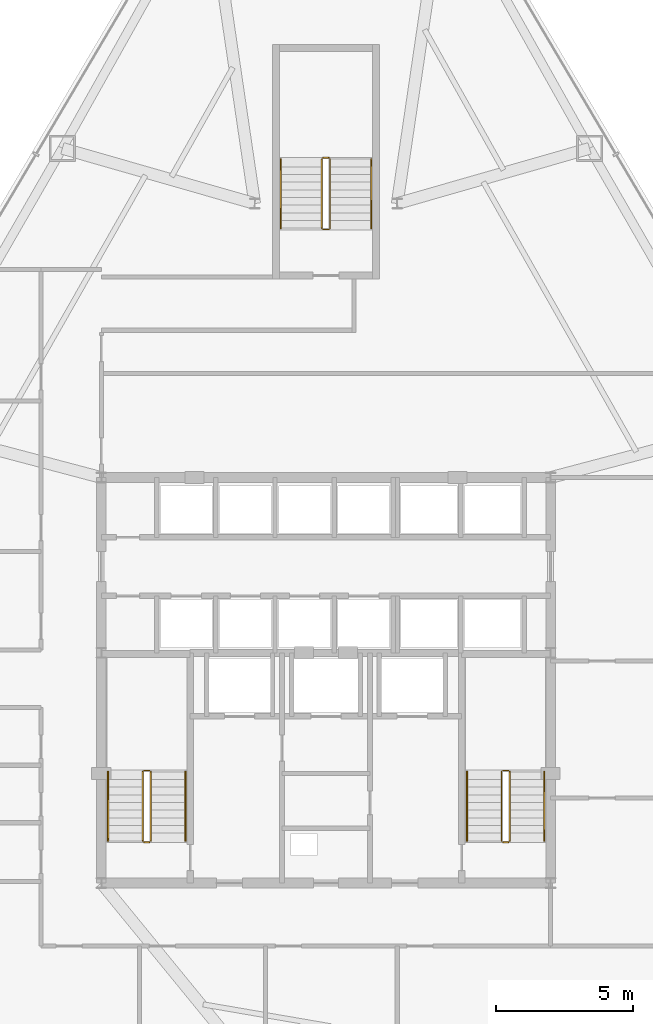
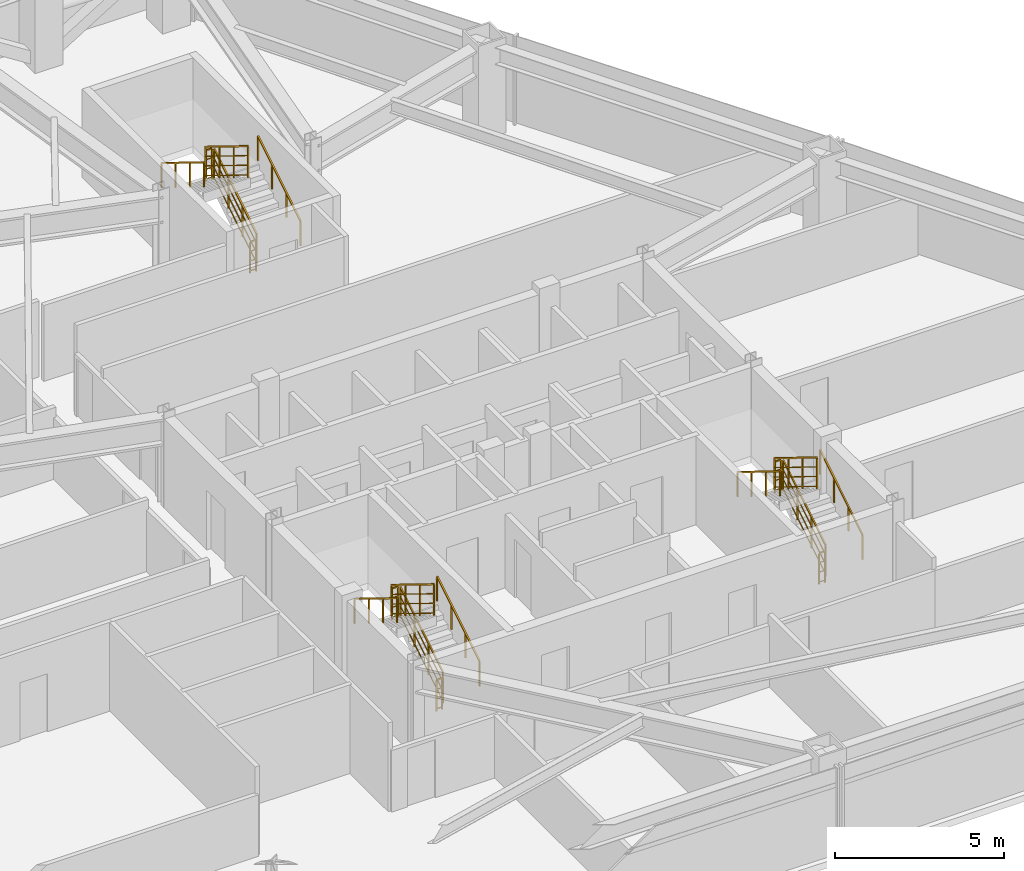
# One storey, part 13 of 13: 18 railings.
"""IFC4 building model written with IfcOpenShell, lengths in metres."""

from ifc_helpers import new_model, si_unit, direction, frame, origin, origin_2d, place, context, subcontext, project, spatial, rectangle, extrude, material, type_object, element, save


model = new_model("IFC4")

# Units and contexts
model_context = context("Model", 3, precision=1e-05, world=origin(), true_north=direction((0.0, 1.0)))
body_context = subcontext(model_context, "Body", "Model", "MODEL_VIEW")
ifc_project = project(units=[si_unit("LENGTHUNIT", "METRE"), si_unit("AREAUNIT", "SQUARE_METRE"), si_unit("VOLUMEUNIT", "CUBIC_METRE"), si_unit("PLANEANGLEUNIT", "RADIAN"), si_unit("MASSUNIT", "GRAM", prefix="KILO")], contexts=[model_context])

# Site, building, storey
site_placement = place(None, origin())
site = spatial("IfcSite", under=ifc_project, at=site_placement, CompositionType="ELEMENT")
building_placement = place(site_placement, origin())
building = spatial("IfcBuilding", under=site, at=building_placement, Name="Varakhsha Concourse Tower", CompositionType="ELEMENT")
storey_placement = place(building_placement, frame((0.0, 0.0, 116.0)))
storey = spatial("IfcBuildingStorey", under=building, at=storey_placement, Name="L33", CompositionType="ELEMENT", Elevation=116.0)

# Railings
ifc_material = material(Name="Brushed Austenitic Stainless Steel AISI 316", Category="steel")
railing_type_1 = type_object("IfcRailingType", Name="RL-STAIR-GUARD-1100", PredefinedType="GUARDRAIL", material=ifc_material)
railing_1_placement = place(storey_placement, frame((33.610107421875, 17.93994140625, 0.172607421875)))
element("IfcRailing", 1, at=railing_1_placement, inside=storey, type_object=railing_type_1, Name="L33 ST1 stair guard 1", PredefinedType="GUARDRAIL", context=body_context, shape_type="SweptSolid", body=[
    extrude(rectangle(XDim=0.048095703125, YDim=0.048095703125, at=origin_2d()), frame((0.0, 0.0, 1.1259765625), z_axis=(0.0, 0.851400495292, 0.524516154772), x_axis=(-1.0, 0.0, 0.0)), (0.0, 0.0, 1.0), 2.9599609375),
    extrude(rectangle(XDim=0.028076171875, YDim=0.028076171875, at=origin_2d()), frame((0.0, 0.0, 0.080078125), z_axis=(0.0, 0.851400495292, 0.524516154772), x_axis=(-1.0, 0.0, 0.0)), (0.0, 0.0, 1.0), 2.9599609375),
    extrude(rectangle(XDim=0.028076171875, YDim=0.028076171875, at=origin_2d()), frame((0.0, 0.0, 0.43701171875), z_axis=(0.0, 0.851400495292, 0.524516154772), x_axis=(-1.0, 0.0, 0.0)), (0.0, 0.0, 1.0), 2.9599609375),
    extrude(rectangle(XDim=0.028076171875, YDim=0.028076171875, at=origin_2d()), frame((0.0, 0.0, 0.781982421875), z_axis=(0.0, 0.851400495292, 0.524516154772), x_axis=(-1.0, 0.0, 0.0)), (0.0, 0.0, 1.0), 2.9599609375),
    extrude(rectangle(XDim=0.0419921875, YDim=0.0419921875, at=origin_2d()), origin(), (0.0, 0.0, 1.0), 1.101806640625),
    extrude(rectangle(XDim=0.0419921875, YDim=0.0419921875, at=origin_2d()), frame((0.0, 0.840087890625, 0.517578125)), (0.0, 0.0, 1.0), 1.101806640625),
    extrude(rectangle(XDim=0.0419921875, YDim=0.0419921875, at=origin_2d()), frame((0.0, 1.679931640625, 1.034912109375)), (0.0, 0.0, 1.0), 1.101806640625),
    extrude(rectangle(XDim=0.0419921875, YDim=0.0419921875, at=origin_2d()), frame((0.0, 2.52001953125, 1.552490234375)), (0.0, 0.0, 1.0), 1.101806640625),
])
railing_2_placement = place(storey_placement, frame((33.56005859375, 20.510009765625, 1.72509765625)))
element("IfcRailing", 2, at=railing_2_placement, inside=storey, type_object=railing_type_1, Name="L33 ST1 stair guard 2", PredefinedType="GUARDRAIL", context=body_context, shape_type="SweptSolid", body=[
    extrude(rectangle(XDim=0.048095703125, YDim=0.048095703125, at=origin_2d()), frame((0.0, 0.0, 1.1259765625), z_axis=(-1.0, 0.0, 0.0), x_axis=(0.0, -1.0, 0.0)), (0.0, 0.0, 1.0), 0.199951171875),
    extrude(rectangle(XDim=0.028076171875, YDim=0.028076171875, at=origin_2d()), frame((0.0, 0.0, 0.080078125), z_axis=(-1.0, 0.0, 0.0), x_axis=(0.0, -1.0, 0.0)), (0.0, 0.0, 1.0), 0.199951171875),
    extrude(rectangle(XDim=0.028076171875, YDim=0.028076171875, at=origin_2d()), frame((0.0, 0.0, 0.43701171875), z_axis=(-1.0, 0.0, 0.0), x_axis=(0.0, -1.0, 0.0)), (0.0, 0.0, 1.0), 0.199951171875),
    extrude(rectangle(XDim=0.028076171875, YDim=0.028076171875, at=origin_2d()), frame((0.0, 0.0, 0.781982421875), z_axis=(-1.0, 0.0, 0.0), x_axis=(0.0, -1.0, 0.0)), (0.0, 0.0, 1.0), 0.199951171875),
    extrude(rectangle(XDim=0.0419921875, YDim=0.0419921875, at=origin_2d()), origin(), (0.0, 0.0, 1.0), 1.101806640625),
    extrude(rectangle(XDim=0.0419921875, YDim=0.0419921875, at=origin_2d()), frame((-0.199951171875, 0.0, 0.0)), (0.0, 0.0, 1.0), 1.101806640625),
])
railing_3_placement = place(storey_placement, frame((33.31005859375, 20.4599609375, 1.8974609375)))
element("IfcRailing", 3, at=railing_3_placement, inside=storey, type_object=railing_type_1, Name="L33 ST1 stair guard 3", PredefinedType="GUARDRAIL", context=body_context, shape_type="SweptSolid", body=[
    extrude(rectangle(XDim=0.048095703125, YDim=0.048095703125, at=origin_2d()), frame((0.0, 0.0, 1.1259765625), z_axis=(0.0, -0.851400495292, 0.524516154772), x_axis=(1.0, 0.0, 0.0)), (0.0, 0.0, 1.0), 2.9599609375),
    extrude(rectangle(XDim=0.028076171875, YDim=0.028076171875, at=origin_2d()), frame((0.0, 0.0, 0.080078125), z_axis=(0.0, -0.851400495292, 0.524516154772), x_axis=(1.0, 0.0, 0.0)), (0.0, 0.0, 1.0), 2.9599609375),
    extrude(rectangle(XDim=0.028076171875, YDim=0.028076171875, at=origin_2d()), frame((0.0, 0.0, 0.43701171875), z_axis=(0.0, -0.851400495292, 0.524516154772), x_axis=(1.0, 0.0, 0.0)), (0.0, 0.0, 1.0), 2.9599609375),
    extrude(rectangle(XDim=0.028076171875, YDim=0.028076171875, at=origin_2d()), frame((0.0, 0.0, 0.781982421875), z_axis=(0.0, -0.851400495292, 0.524516154772), x_axis=(1.0, 0.0, 0.0)), (0.0, 0.0, 1.0), 2.9599609375),
    extrude(rectangle(XDim=0.0419921875, YDim=0.0419921875, at=origin_2d()), origin(), (0.0, 0.0, 1.0), 1.101806640625),
    extrude(rectangle(XDim=0.0419921875, YDim=0.0419921875, at=origin_2d()), frame((0.0, -0.840087890625, 0.517578125)), (0.0, 0.0, 1.0), 1.101806640625),
    extrude(rectangle(XDim=0.0419921875, YDim=0.0419921875, at=origin_2d()), frame((0.0, -1.679931640625, 1.034912109375)), (0.0, 0.0, 1.0), 1.101806640625),
    extrude(rectangle(XDim=0.0419921875, YDim=0.0419921875, at=origin_2d()), frame((0.0, -2.52001953125, 1.552490234375)), (0.0, 0.0, 1.0), 1.101806640625),
])
railing_4_placement = place(storey_placement, frame((33.56005859375, 17.889892578125, 0.0)))
element("IfcRailing", 4, at=railing_4_placement, inside=storey, type_object=railing_type_1, Name="L33 ST1 stair guard 4", PredefinedType="GUARDRAIL", context=body_context, shape_type="SweptSolid", body=[
    extrude(rectangle(XDim=0.048095703125, YDim=0.048095703125, at=origin_2d()), frame((0.0, 0.0, 1.1259765625), z_axis=(-1.0, 0.0, 0.0), x_axis=(0.0, -1.0, 0.0)), (0.0, 0.0, 1.0), 0.199951171875),
    extrude(rectangle(XDim=0.028076171875, YDim=0.028076171875, at=origin_2d()), frame((0.0, 0.0, 0.080078125), z_axis=(-1.0, 0.0, 0.0), x_axis=(0.0, -1.0, 0.0)), (0.0, 0.0, 1.0), 0.199951171875),
    extrude(rectangle(XDim=0.028076171875, YDim=0.028076171875, at=origin_2d()), frame((0.0, 0.0, 0.43701171875), z_axis=(-1.0, 0.0, 0.0), x_axis=(0.0, -1.0, 0.0)), (0.0, 0.0, 1.0), 0.199951171875),
    extrude(rectangle(XDim=0.028076171875, YDim=0.028076171875, at=origin_2d()), frame((0.0, 0.0, 0.781982421875), z_axis=(-1.0, 0.0, 0.0), x_axis=(0.0, -1.0, 0.0)), (0.0, 0.0, 1.0), 0.199951171875),
    extrude(rectangle(XDim=0.0419921875, YDim=0.0419921875, at=origin_2d()), origin(), (0.0, 0.0, 1.0), 1.101806640625),
    extrude(rectangle(XDim=0.0419921875, YDim=0.0419921875, at=origin_2d()), frame((-0.199951171875, 0.0, 0.0)), (0.0, 0.0, 1.0), 1.101806640625),
])
railing_5_placement = place(storey_placement, frame((46.7099609375, 17.93994140625, 0.172607421875)))
element("IfcRailing", 5, at=railing_5_placement, inside=storey, type_object=railing_type_1, Name="L33 ST2 stair guard 1", PredefinedType="GUARDRAIL", context=body_context, shape_type="SweptSolid", body=[
    extrude(rectangle(XDim=0.048095703125, YDim=0.048095703125, at=origin_2d()), frame((0.0, 0.0, 1.1259765625), z_axis=(0.0, 0.851400495292, 0.524516154772), x_axis=(-1.0, 0.0, 0.0)), (0.0, 0.0, 1.0), 2.9599609375),
    extrude(rectangle(XDim=0.028076171875, YDim=0.028076171875, at=origin_2d()), frame((0.0, 0.0, 0.080078125), z_axis=(0.0, 0.851400495292, 0.524516154772), x_axis=(-1.0, 0.0, 0.0)), (0.0, 0.0, 1.0), 2.9599609375),
    extrude(rectangle(XDim=0.028076171875, YDim=0.028076171875, at=origin_2d()), frame((0.0, 0.0, 0.43701171875), z_axis=(0.0, 0.851400495292, 0.524516154772), x_axis=(-1.0, 0.0, 0.0)), (0.0, 0.0, 1.0), 2.9599609375),
    extrude(rectangle(XDim=0.028076171875, YDim=0.028076171875, at=origin_2d()), frame((0.0, 0.0, 0.781982421875), z_axis=(0.0, 0.851400495292, 0.524516154772), x_axis=(-1.0, 0.0, 0.0)), (0.0, 0.0, 1.0), 2.9599609375),
    extrude(rectangle(XDim=0.0419921875, YDim=0.0419921875, at=origin_2d()), origin(), (0.0, 0.0, 1.0), 1.101806640625),
    extrude(rectangle(XDim=0.0419921875, YDim=0.0419921875, at=origin_2d()), frame((0.0, 0.840087890625, 0.517578125)), (0.0, 0.0, 1.0), 1.101806640625),
    extrude(rectangle(XDim=0.0419921875, YDim=0.0419921875, at=origin_2d()), frame((0.0, 1.679931640625, 1.034912109375)), (0.0, 0.0, 1.0), 1.101806640625),
    extrude(rectangle(XDim=0.0419921875, YDim=0.0419921875, at=origin_2d()), frame((0.0, 2.52001953125, 1.552490234375)), (0.0, 0.0, 1.0), 1.101806640625),
])
railing_6_placement = place(storey_placement, frame((46.659912109375, 20.510009765625, 1.72509765625)))
element("IfcRailing", 6, at=railing_6_placement, inside=storey, type_object=railing_type_1, Name="L33 ST2 stair guard 2", PredefinedType="GUARDRAIL", context=body_context, shape_type="SweptSolid", body=[
    extrude(rectangle(XDim=0.048095703125, YDim=0.048095703125, at=origin_2d()), frame((0.0, 0.0, 1.1259765625), z_axis=(-1.0, 0.0, 0.0), x_axis=(0.0, -1.0, 0.0)), (0.0, 0.0, 1.0), 0.199951171875),
    extrude(rectangle(XDim=0.028076171875, YDim=0.028076171875, at=origin_2d()), frame((0.0, 0.0, 0.080078125), z_axis=(-1.0, 0.0, 0.0), x_axis=(0.0, -1.0, 0.0)), (0.0, 0.0, 1.0), 0.199951171875),
    extrude(rectangle(XDim=0.028076171875, YDim=0.028076171875, at=origin_2d()), frame((0.0, 0.0, 0.43701171875), z_axis=(-1.0, 0.0, 0.0), x_axis=(0.0, -1.0, 0.0)), (0.0, 0.0, 1.0), 0.199951171875),
    extrude(rectangle(XDim=0.028076171875, YDim=0.028076171875, at=origin_2d()), frame((0.0, 0.0, 0.781982421875), z_axis=(-1.0, 0.0, 0.0), x_axis=(0.0, -1.0, 0.0)), (0.0, 0.0, 1.0), 0.199951171875),
    extrude(rectangle(XDim=0.0419921875, YDim=0.0419921875, at=origin_2d()), origin(), (0.0, 0.0, 1.0), 1.101806640625),
    extrude(rectangle(XDim=0.0419921875, YDim=0.0419921875, at=origin_2d()), frame((-0.199951171875, 0.0, 0.0)), (0.0, 0.0, 1.0), 1.101806640625),
])
railing_7_placement = place(storey_placement, frame((46.409912109375, 20.4599609375, 1.8974609375)))
element("IfcRailing", 7, at=railing_7_placement, inside=storey, type_object=railing_type_1, Name="L33 ST2 stair guard 3", PredefinedType="GUARDRAIL", context=body_context, shape_type="SweptSolid", body=[
    extrude(rectangle(XDim=0.048095703125, YDim=0.048095703125, at=origin_2d()), frame((0.0, 0.0, 1.1259765625), z_axis=(0.0, -0.851400495292, 0.524516154772), x_axis=(1.0, 0.0, 0.0)), (0.0, 0.0, 1.0), 2.9599609375),
    extrude(rectangle(XDim=0.028076171875, YDim=0.028076171875, at=origin_2d()), frame((0.0, 0.0, 0.080078125), z_axis=(0.0, -0.851400495292, 0.524516154772), x_axis=(1.0, 0.0, 0.0)), (0.0, 0.0, 1.0), 2.9599609375),
    extrude(rectangle(XDim=0.028076171875, YDim=0.028076171875, at=origin_2d()), frame((0.0, 0.0, 0.43701171875), z_axis=(0.0, -0.851400495292, 0.524516154772), x_axis=(1.0, 0.0, 0.0)), (0.0, 0.0, 1.0), 2.9599609375),
    extrude(rectangle(XDim=0.028076171875, YDim=0.028076171875, at=origin_2d()), frame((0.0, 0.0, 0.781982421875), z_axis=(0.0, -0.851400495292, 0.524516154772), x_axis=(1.0, 0.0, 0.0)), (0.0, 0.0, 1.0), 2.9599609375),
    extrude(rectangle(XDim=0.0419921875, YDim=0.0419921875, at=origin_2d()), origin(), (0.0, 0.0, 1.0), 1.101806640625),
    extrude(rectangle(XDim=0.0419921875, YDim=0.0419921875, at=origin_2d()), frame((0.0, -0.840087890625, 0.517578125)), (0.0, 0.0, 1.0), 1.101806640625),
    extrude(rectangle(XDim=0.0419921875, YDim=0.0419921875, at=origin_2d()), frame((0.0, -1.679931640625, 1.034912109375)), (0.0, 0.0, 1.0), 1.101806640625),
    extrude(rectangle(XDim=0.0419921875, YDim=0.0419921875, at=origin_2d()), frame((0.0, -2.52001953125, 1.552490234375)), (0.0, 0.0, 1.0), 1.101806640625),
])
railing_8_placement = place(storey_placement, frame((46.659912109375, 17.889892578125, 0.0)))
element("IfcRailing", 8, at=railing_8_placement, inside=storey, type_object=railing_type_1, Name="L33 ST2 stair guard 4", PredefinedType="GUARDRAIL", context=body_context, shape_type="SweptSolid", body=[
    extrude(rectangle(XDim=0.048095703125, YDim=0.048095703125, at=origin_2d()), frame((0.0, 0.0, 1.1259765625), z_axis=(-1.0, 0.0, 0.0), x_axis=(0.0, -1.0, 0.0)), (0.0, 0.0, 1.0), 0.199951171875),
    extrude(rectangle(XDim=0.028076171875, YDim=0.028076171875, at=origin_2d()), frame((0.0, 0.0, 0.080078125), z_axis=(-1.0, 0.0, 0.0), x_axis=(0.0, -1.0, 0.0)), (0.0, 0.0, 1.0), 0.199951171875),
    extrude(rectangle(XDim=0.028076171875, YDim=0.028076171875, at=origin_2d()), frame((0.0, 0.0, 0.43701171875), z_axis=(-1.0, 0.0, 0.0), x_axis=(0.0, -1.0, 0.0)), (0.0, 0.0, 1.0), 0.199951171875),
    extrude(rectangle(XDim=0.028076171875, YDim=0.028076171875, at=origin_2d()), frame((0.0, 0.0, 0.781982421875), z_axis=(-1.0, 0.0, 0.0), x_axis=(0.0, -1.0, 0.0)), (0.0, 0.0, 1.0), 0.199951171875),
    extrude(rectangle(XDim=0.0419921875, YDim=0.0419921875, at=origin_2d()), origin(), (0.0, 0.0, 1.0), 1.101806640625),
    extrude(rectangle(XDim=0.0419921875, YDim=0.0419921875, at=origin_2d()), frame((-0.199951171875, 0.0, 0.0)), (0.0, 0.0, 1.0), 1.101806640625),
])
railing_9_placement = place(storey_placement, frame((40.14990234375, 40.300048828125, 0.172607421875)))
element("IfcRailing", 9, at=railing_9_placement, inside=storey, type_object=railing_type_1, Name="L33 ST5 stair guard 1", PredefinedType="GUARDRAIL", context=body_context, shape_type="SweptSolid", body=[
    extrude(rectangle(XDim=0.048095703125, YDim=0.048095703125, at=origin_2d()), frame((0.0, 0.0, 1.1259765625), z_axis=(0.0, 0.851400495292, 0.524516154772), x_axis=(-1.0, 0.0, 0.0)), (0.0, 0.0, 1.0), 2.9599609375),
    extrude(rectangle(XDim=0.028076171875, YDim=0.028076171875, at=origin_2d()), frame((0.0, 0.0, 0.080078125), z_axis=(0.0, 0.851400495292, 0.524516154772), x_axis=(-1.0, 0.0, 0.0)), (0.0, 0.0, 1.0), 2.9599609375),
    extrude(rectangle(XDim=0.028076171875, YDim=0.028076171875, at=origin_2d()), frame((0.0, 0.0, 0.43701171875), z_axis=(0.0, 0.851400495292, 0.524516154772), x_axis=(-1.0, 0.0, 0.0)), (0.0, 0.0, 1.0), 2.9599609375),
    extrude(rectangle(XDim=0.028076171875, YDim=0.028076171875, at=origin_2d()), frame((0.0, 0.0, 0.781982421875), z_axis=(0.0, 0.851400495292, 0.524516154772), x_axis=(-1.0, 0.0, 0.0)), (0.0, 0.0, 1.0), 2.9599609375),
    extrude(rectangle(XDim=0.0419921875, YDim=0.0419921875, at=origin_2d()), origin(), (0.0, 0.0, 1.0), 1.101806640625),
    extrude(rectangle(XDim=0.0419921875, YDim=0.0419921875, at=origin_2d()), frame((0.0, 0.840087890625, 0.517578125)), (0.0, 0.0, 1.0), 1.101806640625),
    extrude(rectangle(XDim=0.0419921875, YDim=0.0419921875, at=origin_2d()), frame((0.0, 1.679931640625, 1.034912109375)), (0.0, 0.0, 1.0), 1.101806640625),
    extrude(rectangle(XDim=0.0419921875, YDim=0.0419921875, at=origin_2d()), frame((0.0, 2.52001953125, 1.552490234375)), (0.0, 0.0, 1.0), 1.101806640625),
])
railing_10_placement = place(storey_placement, frame((40.10009765625, 42.8701171875, 1.72509765625)))
element("IfcRailing", 10, at=railing_10_placement, inside=storey, type_object=railing_type_1, Name="L33 ST5 stair guard 2", PredefinedType="GUARDRAIL", context=body_context, shape_type="SweptSolid", body=[
    extrude(rectangle(XDim=0.048095703125, YDim=0.048095703125, at=origin_2d()), frame((0.0, 0.0, 1.1259765625), z_axis=(-1.0, 0.0, 0.0), x_axis=(0.0, -1.0, 0.0)), (0.0, 0.0, 1.0), 0.2001953125),
    extrude(rectangle(XDim=0.028076171875, YDim=0.028076171875, at=origin_2d()), frame((0.0, 0.0, 0.080078125), z_axis=(-1.0, 0.0, 0.0), x_axis=(0.0, -1.0, 0.0)), (0.0, 0.0, 1.0), 0.2001953125),
    extrude(rectangle(XDim=0.028076171875, YDim=0.028076171875, at=origin_2d()), frame((0.0, 0.0, 0.43701171875), z_axis=(-1.0, 0.0, 0.0), x_axis=(0.0, -1.0, 0.0)), (0.0, 0.0, 1.0), 0.2001953125),
    extrude(rectangle(XDim=0.028076171875, YDim=0.028076171875, at=origin_2d()), frame((0.0, 0.0, 0.781982421875), z_axis=(-1.0, 0.0, 0.0), x_axis=(0.0, -1.0, 0.0)), (0.0, 0.0, 1.0), 0.2001953125),
    extrude(rectangle(XDim=0.0419921875, YDim=0.0419921875, at=origin_2d()), origin(), (0.0, 0.0, 1.0), 1.101806640625),
    extrude(rectangle(XDim=0.0419921875, YDim=0.0419921875, at=origin_2d()), frame((-0.2001953125, 0.0, 0.0)), (0.0, 0.0, 1.0), 1.101806640625),
])
railing_11_placement = place(storey_placement, frame((39.85009765625, 42.820068359375, 1.8974609375)))
element("IfcRailing", 11, at=railing_11_placement, inside=storey, type_object=railing_type_1, Name="L33 ST5 stair guard 3", PredefinedType="GUARDRAIL", context=body_context, shape_type="SweptSolid", body=[
    extrude(rectangle(XDim=0.048095703125, YDim=0.048095703125, at=origin_2d()), frame((0.0, 0.0, 1.1259765625), z_axis=(0.0, -0.851400495292, 0.524516154772), x_axis=(1.0, 0.0, 0.0)), (0.0, 0.0, 1.0), 2.9599609375),
    extrude(rectangle(XDim=0.028076171875, YDim=0.028076171875, at=origin_2d()), frame((0.0, 0.0, 0.080078125), z_axis=(0.0, -0.851400495292, 0.524516154772), x_axis=(1.0, 0.0, 0.0)), (0.0, 0.0, 1.0), 2.9599609375),
    extrude(rectangle(XDim=0.028076171875, YDim=0.028076171875, at=origin_2d()), frame((0.0, 0.0, 0.43701171875), z_axis=(0.0, -0.851400495292, 0.524516154772), x_axis=(1.0, 0.0, 0.0)), (0.0, 0.0, 1.0), 2.9599609375),
    extrude(rectangle(XDim=0.028076171875, YDim=0.028076171875, at=origin_2d()), frame((0.0, 0.0, 0.781982421875), z_axis=(0.0, -0.851400495292, 0.524516154772), x_axis=(1.0, 0.0, 0.0)), (0.0, 0.0, 1.0), 2.9599609375),
    extrude(rectangle(XDim=0.0419921875, YDim=0.0419921875, at=origin_2d()), origin(), (0.0, 0.0, 1.0), 1.101806640625),
    extrude(rectangle(XDim=0.0419921875, YDim=0.0419921875, at=origin_2d()), frame((0.0, -0.840087890625, 0.517578125)), (0.0, 0.0, 1.0), 1.101806640625),
    extrude(rectangle(XDim=0.0419921875, YDim=0.0419921875, at=origin_2d()), frame((0.0, -1.679931640625, 1.034912109375)), (0.0, 0.0, 1.0), 1.101806640625),
    extrude(rectangle(XDim=0.0419921875, YDim=0.0419921875, at=origin_2d()), frame((0.0, -2.52001953125, 1.552490234375)), (0.0, 0.0, 1.0), 1.101806640625),
])
railing_12_placement = place(storey_placement, frame((40.10009765625, 40.25, 0.0)))
element("IfcRailing", 12, at=railing_12_placement, inside=storey, type_object=railing_type_1, Name="L33 ST5 stair guard 4", PredefinedType="GUARDRAIL", context=body_context, shape_type="SweptSolid", body=[
    extrude(rectangle(XDim=0.048095703125, YDim=0.048095703125, at=origin_2d()), frame((0.0, 0.0, 1.1259765625), z_axis=(-1.0, 0.0, 0.0), x_axis=(0.0, -1.0, 0.0)), (0.0, 0.0, 1.0), 0.2001953125),
    extrude(rectangle(XDim=0.028076171875, YDim=0.028076171875, at=origin_2d()), frame((0.0, 0.0, 0.080078125), z_axis=(-1.0, 0.0, 0.0), x_axis=(0.0, -1.0, 0.0)), (0.0, 0.0, 1.0), 0.2001953125),
    extrude(rectangle(XDim=0.028076171875, YDim=0.028076171875, at=origin_2d()), frame((0.0, 0.0, 0.43701171875), z_axis=(-1.0, 0.0, 0.0), x_axis=(0.0, -1.0, 0.0)), (0.0, 0.0, 1.0), 0.2001953125),
    extrude(rectangle(XDim=0.028076171875, YDim=0.028076171875, at=origin_2d()), frame((0.0, 0.0, 0.781982421875), z_axis=(-1.0, 0.0, 0.0), x_axis=(0.0, -1.0, 0.0)), (0.0, 0.0, 1.0), 0.2001953125),
    extrude(rectangle(XDim=0.0419921875, YDim=0.0419921875, at=origin_2d()), origin(), (0.0, 0.0, 1.0), 1.101806640625),
    extrude(rectangle(XDim=0.0419921875, YDim=0.0419921875, at=origin_2d()), frame((-0.2001953125, 0.0, 0.0)), (0.0, 0.0, 1.0), 1.101806640625),
])
railing_type_2 = type_object("IfcRailingType", Name="RL-STAIR-RAIL-915", PredefinedType="HANDRAIL", material=ifc_material)
railing_13_placement = place(storey_placement, frame((34.8701171875, 17.93994140625, 0.344970703125)))
element("IfcRailing", 13, at=railing_13_placement, inside=storey, type_object=railing_type_2, Name="L33 ST1 stair handrail 1", PredefinedType="HANDRAIL", context=body_context, shape_type="SweptSolid", body=[
    extrude(rectangle(XDim=0.048095703125, YDim=0.048095703125, at=origin_2d()), frame((0.0, 0.0, 0.89111328125), z_axis=(0.0, 0.851400495292, 0.524516154772), x_axis=(-1.0, 0.0, 0.0)), (0.0, 0.0, 1.0), 2.9599609375),
    extrude(rectangle(XDim=0.0419921875, YDim=0.0419921875, at=origin_2d()), origin(), (0.0, 0.0, 1.0), 0.866943359375),
    extrude(rectangle(XDim=0.0419921875, YDim=0.0419921875, at=origin_2d()), frame((0.0, 0.840087890625, 0.517578125)), (0.0, 0.0, 1.0), 0.866943359375),
    extrude(rectangle(XDim=0.0419921875, YDim=0.0419921875, at=origin_2d()), frame((0.0, 1.679931640625, 1.034912109375)), (0.0, 0.0, 1.0), 0.866943359375),
    extrude(rectangle(XDim=0.0419921875, YDim=0.0419921875, at=origin_2d()), frame((0.0, 2.52001953125, 1.552490234375)), (0.0, 0.0, 1.0), 0.866943359375),
])
railing_14_placement = place(storey_placement, frame((32.050048828125, 20.4599609375, 2.070068359375)))
element("IfcRailing", 14, at=railing_14_placement, inside=storey, type_object=railing_type_2, Name="L33 ST1 stair handrail 2", PredefinedType="HANDRAIL", context=body_context, shape_type="SweptSolid", body=[
    extrude(rectangle(XDim=0.048095703125, YDim=0.048095703125, at=origin_2d()), frame((0.0, 0.0, 0.89111328125), z_axis=(0.0, -0.851400495292, 0.524516154772), x_axis=(1.0, 0.0, 0.0)), (0.0, 0.0, 1.0), 2.9599609375),
    extrude(rectangle(XDim=0.0419921875, YDim=0.0419921875, at=origin_2d()), origin(), (0.0, 0.0, 1.0), 0.866943359375),
    extrude(rectangle(XDim=0.0419921875, YDim=0.0419921875, at=origin_2d()), frame((0.0, -0.840087890625, 0.517578125)), (0.0, 0.0, 1.0), 0.866943359375),
    extrude(rectangle(XDim=0.0419921875, YDim=0.0419921875, at=origin_2d()), frame((0.0, -1.679931640625, 1.034912109375)), (0.0, 0.0, 1.0), 0.866943359375),
    extrude(rectangle(XDim=0.0419921875, YDim=0.0419921875, at=origin_2d()), frame((0.0, -2.52001953125, 1.552490234375)), (0.0, 0.0, 1.0), 0.866943359375),
])
railing_15_placement = place(storey_placement, frame((47.969970703125, 17.93994140625, 0.344970703125)))
element("IfcRailing", 15, at=railing_15_placement, inside=storey, type_object=railing_type_2, Name="L33 ST2 stair handrail 1", PredefinedType="HANDRAIL", context=body_context, shape_type="SweptSolid", body=[
    extrude(rectangle(XDim=0.048095703125, YDim=0.048095703125, at=origin_2d()), frame((0.0, 0.0, 0.89111328125), z_axis=(0.0, 0.851400495292, 0.524516154772), x_axis=(-1.0, 0.0, 0.0)), (0.0, 0.0, 1.0), 2.9599609375),
    extrude(rectangle(XDim=0.0419921875, YDim=0.0419921875, at=origin_2d()), origin(), (0.0, 0.0, 1.0), 0.866943359375),
    extrude(rectangle(XDim=0.0419921875, YDim=0.0419921875, at=origin_2d()), frame((0.0, 0.840087890625, 0.517578125)), (0.0, 0.0, 1.0), 0.866943359375),
    extrude(rectangle(XDim=0.0419921875, YDim=0.0419921875, at=origin_2d()), frame((0.0, 1.679931640625, 1.034912109375)), (0.0, 0.0, 1.0), 0.866943359375),
    extrude(rectangle(XDim=0.0419921875, YDim=0.0419921875, at=origin_2d()), frame((0.0, 2.52001953125, 1.552490234375)), (0.0, 0.0, 1.0), 0.866943359375),
])
railing_16_placement = place(storey_placement, frame((45.14990234375, 20.4599609375, 2.070068359375)))
element("IfcRailing", 16, at=railing_16_placement, inside=storey, type_object=railing_type_2, Name="L33 ST2 stair handrail 2", PredefinedType="HANDRAIL", context=body_context, shape_type="SweptSolid", body=[
    extrude(rectangle(XDim=0.048095703125, YDim=0.048095703125, at=origin_2d()), frame((0.0, 0.0, 0.89111328125), z_axis=(0.0, -0.851400495292, 0.524516154772), x_axis=(1.0, 0.0, 0.0)), (0.0, 0.0, 1.0), 2.9599609375),
    extrude(rectangle(XDim=0.0419921875, YDim=0.0419921875, at=origin_2d()), origin(), (0.0, 0.0, 1.0), 0.866943359375),
    extrude(rectangle(XDim=0.0419921875, YDim=0.0419921875, at=origin_2d()), frame((0.0, -0.840087890625, 0.517578125)), (0.0, 0.0, 1.0), 0.866943359375),
    extrude(rectangle(XDim=0.0419921875, YDim=0.0419921875, at=origin_2d()), frame((0.0, -1.679931640625, 1.034912109375)), (0.0, 0.0, 1.0), 0.866943359375),
    extrude(rectangle(XDim=0.0419921875, YDim=0.0419921875, at=origin_2d()), frame((0.0, -2.52001953125, 1.552490234375)), (0.0, 0.0, 1.0), 0.866943359375),
])
railing_17_placement = place(storey_placement, frame((41.64990234375, 40.300048828125, 0.344970703125)))
element("IfcRailing", 17, at=railing_17_placement, inside=storey, type_object=railing_type_2, Name="L33 ST5 stair handrail 1", PredefinedType="HANDRAIL", context=body_context, shape_type="SweptSolid", body=[
    extrude(rectangle(XDim=0.048095703125, YDim=0.048095703125, at=origin_2d()), frame((0.0, 0.0, 0.89111328125), z_axis=(0.0, 0.851400495292, 0.524516154772), x_axis=(-1.0, 0.0, 0.0)), (0.0, 0.0, 1.0), 2.9599609375),
    extrude(rectangle(XDim=0.0419921875, YDim=0.0419921875, at=origin_2d()), origin(), (0.0, 0.0, 1.0), 0.866943359375),
    extrude(rectangle(XDim=0.0419921875, YDim=0.0419921875, at=origin_2d()), frame((0.0, 0.840087890625, 0.517578125)), (0.0, 0.0, 1.0), 0.866943359375),
    extrude(rectangle(XDim=0.0419921875, YDim=0.0419921875, at=origin_2d()), frame((0.0, 1.679931640625, 1.034912109375)), (0.0, 0.0, 1.0), 0.866943359375),
    extrude(rectangle(XDim=0.0419921875, YDim=0.0419921875, at=origin_2d()), frame((0.0, 2.52001953125, 1.552490234375)), (0.0, 0.0, 1.0), 0.866943359375),
])
railing_18_placement = place(storey_placement, frame((38.35009765625, 42.820068359375, 2.070068359375)))
element("IfcRailing", 18, at=railing_18_placement, inside=storey, type_object=railing_type_2, Name="L33 ST5 stair handrail 2", PredefinedType="HANDRAIL", context=body_context, shape_type="SweptSolid", body=[
    extrude(rectangle(XDim=0.048095703125, YDim=0.048095703125, at=origin_2d()), frame((0.0, 0.0, 0.89111328125), z_axis=(0.0, -0.851400495292, 0.524516154772), x_axis=(1.0, 0.0, 0.0)), (0.0, 0.0, 1.0), 2.9599609375),
    extrude(rectangle(XDim=0.0419921875, YDim=0.0419921875, at=origin_2d()), origin(), (0.0, 0.0, 1.0), 0.866943359375),
    extrude(rectangle(XDim=0.0419921875, YDim=0.0419921875, at=origin_2d()), frame((0.0, -0.840087890625, 0.517578125)), (0.0, 0.0, 1.0), 0.866943359375),
    extrude(rectangle(XDim=0.0419921875, YDim=0.0419921875, at=origin_2d()), frame((0.0, -1.679931640625, 1.034912109375)), (0.0, 0.0, 1.0), 0.866943359375),
    extrude(rectangle(XDim=0.0419921875, YDim=0.0419921875, at=origin_2d()), frame((0.0, -2.52001953125, 1.552490234375)), (0.0, 0.0, 1.0), 0.866943359375),
])

save(model, "model.ifc")
